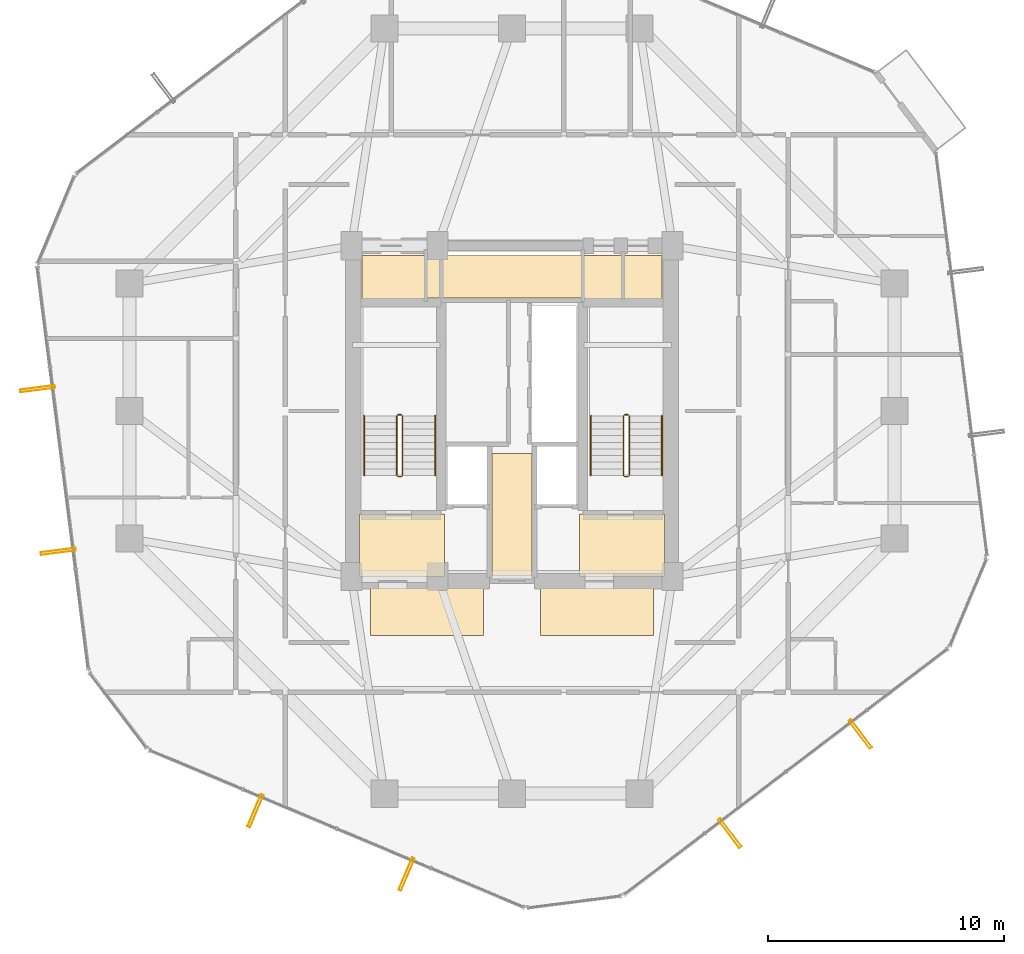
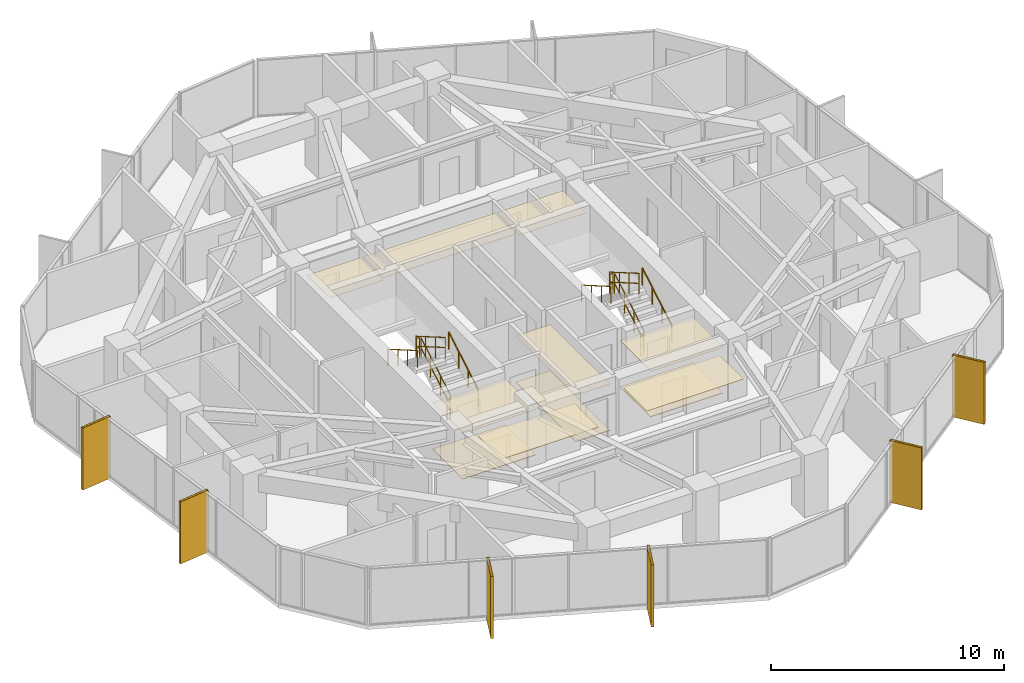
# One storey, part 32 of 33: 12 railings, 11 coverings, 6 shading devices.
"""IFC4 building model written with IfcOpenShell, lengths in metres."""

from ifc_helpers import new_model, si_unit, direction, frame, origin, origin_2d, place, context, subcontext, project, spatial, polyline, hollow_rectangle, circle, outline, extrude, material, layer, layer_set, material_profile, profile_set, type_object, element, save


model = new_model("IFC4")

# Units and contexts
model_context = context("Model", 3, precision=1e-05, world=origin(), true_north=direction((0.0, 1.0)))
body_context = subcontext(model_context, "Body", "Model", "MODEL_VIEW")
ifc_project = project(units=[si_unit("LENGTHUNIT", "METRE"), si_unit("AREAUNIT", "SQUARE_METRE"), si_unit("VOLUMEUNIT", "CUBIC_METRE"), si_unit("PLANEANGLEUNIT", "RADIAN"), si_unit("MASSUNIT", "GRAM", prefix="KILO")], contexts=[model_context])

# Site, building, storey
site_placement = place(None, origin())
site = spatial("IfcSite", under=ifc_project, at=site_placement, CompositionType="ELEMENT")
building_placement = place(site_placement, origin())
building = spatial("IfcBuilding", under=site, at=building_placement, Name="Veraguas Prism Commons", CompositionType="ELEMENT")
storey_placement = place(building_placement, frame((0.0, 0.0, 152.25)))
storey = spatial("IfcBuildingStorey", under=building, at=storey_placement, Name="L43", CompositionType="ELEMENT", Elevation=152.25)

# Shading devices
ifc_material_1 = material(Name="Anodised aluminium EN AW-6063 T6", Category="aluminium")
ifc_material_profile = material_profile(ifc_material_1, hollow_rectangle(XDim=0.1201171875, YDim=1.489990234375, WallThickness=0.006103515625, at=origin_2d()), Name="FIN120X1490X6")
ifc_profile_set = profile_set([ifc_material_profile], Name="Anodised aluminium EN AW-6063 T6")
shading_device_type = type_object("IfcShadingDeviceType", Name="Deep Pale-Metal Vertical Solar Fin 120x1490", PredefinedType="USERDEFINED", material=ifc_profile_set)
for number, where, z_axis, x_axis, name in (
    (1, (3.9130859375, 24.947021484375, -0.22998046875), (0.0, 0.0, 1.0), (0.126025829689, -0.992026960446, 0.0), "Vertical Pale-Metal Solar Fin L43-F3A"),
    (2, (4.787841796875, 18.060546875, -0.22998046875), (0.0, 0.0, 1.0), (0.126025829689, -0.992026960446, 0.0), "Vertical Pale-Metal Solar Fin L43-F3B"),
    (3, (13.136474609375, 7.07763671875, -0.22998046875), (0.0, 0.0, 1.0), (0.922132113386, -0.38687512903, 0.0), "Vertical Pale-Metal Solar Fin L43-F4A"),
    (4, (19.53759765625, 4.39208984375, -0.22998046875), (0.0, 0.0, 1.0), (0.922132113386, -0.38687512903, 0.0), "Vertical Pale-Metal Solar Fin L43-F4B"),
    (5, (33.223388671875, 6.130615234375, -0.22998046875), (0.0, 0.0, 1.0), (0.796106577945, 0.605156439735, 0.0), "Vertical Pale-Metal Solar Fin L43-F5A"),
    (6, (38.749755859375, 10.33154296875, -0.22998046875), (0.0, 0.0, 1.0), (0.796106577945, 0.605156439735, 0.0), "Vertical Pale-Metal Solar Fin L43-F5B"),
):
    element("IfcShadingDevice", number, at=place(storey_placement, frame(where, z_axis=z_axis, x_axis=x_axis)), inside=storey, type_object=shading_device_type, Name=name, ObjectType="FIN", PredefinedType="USERDEFINED", context=body_context, shape_type="SweptSolid", body=[
        extrude(hollow_rectangle(XDim=0.1201171875, YDim=1.489990234375, WallThickness=0.006103515625, at=origin_2d()), origin(), (0.0, 0.0, 1.0), 3.25),
    ])

# Coverings
ifc_material_2 = material(Name="Acoustic gypsum board")
ifc_layer_1 = layer(ifc_material_2, 0.02490234375, Name="Perforated Acoustic Ceiling Tile 25")
ifc_layer_set_1 = layer_set([ifc_layer_1], Name="Acoustic gypsum board")
covering_type_1 = type_object("IfcCoveringType", Name="Perforated Acoustic Ceiling Tile 25", PredefinedType="USERDEFINED", material=ifc_layer_set_1)
covering_1_placement = place(storey_placement, frame((0.0, 0.0, 2.425048828125)))
element("IfcCovering", 7, at=covering_1_placement, inside=storey, type_object=covering_type_1, Name="East Lobby Acoustic Ceiling L43", ObjectType="ACOUSTIC CEILING", PredefinedType="USERDEFINED", context=body_context, shape_type="SweptSolid", body=[
    extrude(outline(polyline([(26.85009765625, 17.0), (30.449951171875, 17.0), (30.449951171875, 19.64990234375), (26.85009765625, 19.64990234375), (26.85009765625, 17.0)])), origin(), (0.0, 0.0, 1.0), 0.02490234375),
])
ifc_material_3 = material(Name="Terrazzo stone finish", Category="masonry")
ifc_layer_2 = layer(ifc_material_3, 0.030029296875, Name="Polished Terrazzo Floor Finish 30", Category="masonry")
ifc_layer_set_2 = layer_set([ifc_layer_2], Name="Terrazzo stone finish")
covering_type_2 = type_object("IfcCoveringType", Name="Polished Terrazzo Floor Finish 30", PredefinedType="FLOORING", material=ifc_layer_set_2)
covering_2_placement = place(storey_placement, origin())
element("IfcCovering", 8, at=covering_2_placement, inside=storey, type_object=covering_type_2, Name="Terrazzo Lobby Flooring L43", PredefinedType="FLOORING", context=body_context, shape_type="SweptSolid", body=[
    extrude(outline(polyline([(23.14990234375, 17.050048828125), (24.85009765625, 17.050048828125), (24.85009765625, 22.199951171875), (23.14990234375, 22.199951171875), (23.14990234375, 17.050048828125)])), origin(), (0.0, 0.0, 1.0), 0.030029296875),
])
covering_3_placement = place(storey_placement, origin())
element("IfcCovering", 9, at=covering_3_placement, inside=storey, type_object=covering_type_2, Name="West FF Lobby Terrazzo Flooring L43", PredefinedType="FLOORING", context=body_context, shape_type="SweptSolid", body=[
    extrude(outline(polyline([(17.550048828125, 17.050048828125), (21.14990234375, 17.050048828125), (21.14990234375, 19.64990234375), (17.550048828125, 19.64990234375), (17.550048828125, 17.050048828125)])), origin(), (0.0, 0.0, 1.0), 0.030029296875),
])
covering_4_placement = place(storey_placement, origin())
element("IfcCovering", 10, at=covering_4_placement, inside=storey, type_object=covering_type_2, Name="East FF Lobby Terrazzo Flooring L43", PredefinedType="FLOORING", context=body_context, shape_type="SweptSolid", body=[
    extrude(outline(polyline([(26.85009765625, 17.050048828125), (30.449951171875, 17.050048828125), (30.449951171875, 19.64990234375), (26.85009765625, 19.64990234375), (26.85009765625, 17.050048828125)])), origin(), (0.0, 0.0, 1.0), 0.030029296875),
])

# Railings
ifc_material_4 = material(Name="Stainless steel AISI 316", Category="steel")
railing_type_1 = type_object("IfcRailingType", Name="Stair and Ramp Stainless Handrail 900", PredefinedType="HANDRAIL", material=ifc_material_4)
railing_1_placement = place(storey_placement, frame((20.75, 21.280029296875, 0.16259765625)))
element("IfcRailing", 11, at=railing_1_placement, inside=storey, type_object=railing_type_1, Name="Stair Handrail ST-01 L43-1", PredefinedType="HANDRAIL", context=body_context, shape_type="SweptSolid", body=[
    extrude(circle(Radius=0.02392578125, at=origin_2d()), frame((0.0, 0.0, 0.8759765625), z_axis=(0.0, 0.864913338283, 0.50192122615), x_axis=(-1.0, 0.0, 0.0)), (0.0, 0.0, 1.0), 2.91357421875),
    extrude(circle(Radius=0.02099609375, at=origin_2d()), origin(), (0.0, 0.0, 1.0), 0.851806640625),
    extrude(circle(Radius=0.02099609375, at=origin_2d()), frame((0.0, 0.840087890625, 0.487548828125)), (0.0, 0.0, 1.0), 0.851806640625),
    extrude(circle(Radius=0.02099609375, at=origin_2d()), frame((0.0, 1.679931640625, 0.974853515625)), (0.0, 0.0, 1.0), 0.851806640625),
    extrude(circle(Radius=0.02099609375, at=origin_2d()), frame((0.0, 2.52001953125, 1.46240234375)), (0.0, 0.0, 1.0), 0.851806640625),
])
railing_2_placement = place(storey_placement, frame((17.739990234375, 23.800048828125, 1.78759765625)))
element("IfcRailing", 12, at=railing_2_placement, inside=storey, type_object=railing_type_1, Name="Stair Handrail ST-01 L43-2", PredefinedType="HANDRAIL", context=body_context, shape_type="SweptSolid", body=[
    extrude(circle(Radius=0.02392578125, at=origin_2d()), frame((0.0, 0.0, 0.8759765625), z_axis=(0.0, -0.864913338283, 0.50192122615), x_axis=(1.0, 0.0, 0.0)), (0.0, 0.0, 1.0), 2.91357421875),
    extrude(circle(Radius=0.02099609375, at=origin_2d()), origin(), (0.0, 0.0, 1.0), 0.851806640625),
    extrude(circle(Radius=0.02099609375, at=origin_2d()), frame((0.0, -0.840087890625, 0.487548828125)), (0.0, 0.0, 1.0), 0.851806640625),
    extrude(circle(Radius=0.02099609375, at=origin_2d()), frame((0.0, -1.679931640625, 0.974853515625)), (0.0, 0.0, 1.0), 0.851806640625),
    extrude(circle(Radius=0.02099609375, at=origin_2d()), frame((0.0, -2.52001953125, 1.46240234375)), (0.0, 0.0, 1.0), 0.851806640625),
])
railing_3_placement = place(storey_placement, frame((30.35009765625, 21.280029296875, 0.16259765625)))
element("IfcRailing", 13, at=railing_3_placement, inside=storey, type_object=railing_type_1, Name="Stair Handrail ST-02 L43-1", PredefinedType="HANDRAIL", context=body_context, shape_type="SweptSolid", body=[
    extrude(circle(Radius=0.02392578125, at=origin_2d()), frame((0.0, 0.0, 0.8759765625), z_axis=(0.0, 0.864913338283, 0.50192122615), x_axis=(-1.0, 0.0, 0.0)), (0.0, 0.0, 1.0), 2.91357421875),
    extrude(circle(Radius=0.02099609375, at=origin_2d()), origin(), (0.0, 0.0, 1.0), 0.851806640625),
    extrude(circle(Radius=0.02099609375, at=origin_2d()), frame((0.0, 0.840087890625, 0.487548828125)), (0.0, 0.0, 1.0), 0.851806640625),
    extrude(circle(Radius=0.02099609375, at=origin_2d()), frame((0.0, 1.679931640625, 0.974853515625)), (0.0, 0.0, 1.0), 0.851806640625),
    extrude(circle(Radius=0.02099609375, at=origin_2d()), frame((0.0, 2.52001953125, 1.46240234375)), (0.0, 0.0, 1.0), 0.851806640625),
])
railing_4_placement = place(storey_placement, frame((27.340087890625, 23.800048828125, 1.78759765625)))
element("IfcRailing", 14, at=railing_4_placement, inside=storey, type_object=railing_type_1, Name="Stair Handrail ST-02 L43-2", PredefinedType="HANDRAIL", context=body_context, shape_type="SweptSolid", body=[
    extrude(circle(Radius=0.02392578125, at=origin_2d()), frame((0.0, 0.0, 0.8759765625), z_axis=(0.0, -0.864913338283, 0.50192122615), x_axis=(1.0, 0.0, 0.0)), (0.0, 0.0, 1.0), 2.91357421875),
    extrude(circle(Radius=0.02099609375, at=origin_2d()), origin(), (0.0, 0.0, 1.0), 0.851806640625),
    extrude(circle(Radius=0.02099609375, at=origin_2d()), frame((0.0, -0.840087890625, 0.487548828125)), (0.0, 0.0, 1.0), 0.851806640625),
    extrude(circle(Radius=0.02099609375, at=origin_2d()), frame((0.0, -1.679931640625, 0.974853515625)), (0.0, 0.0, 1.0), 0.851806640625),
    extrude(circle(Radius=0.02099609375, at=origin_2d()), frame((0.0, -2.52001953125, 1.46240234375)), (0.0, 0.0, 1.0), 0.851806640625),
])
railing_type_2 = type_object("IfcRailingType", Name="Stairwell Safety Guardrail 1100", PredefinedType="GUARDRAIL", material=ifc_material_4)
railing_5_placement = place(storey_placement, frame((19.3701171875, 21.280029296875, 0.16259765625)))
element("IfcRailing", 15, at=railing_5_placement, inside=storey, type_object=railing_type_2, Name="Stair Guard ST-01 L43-1", PredefinedType="GUARDRAIL", context=body_context, shape_type="SweptSolid", body=[
    extrude(circle(Radius=0.02392578125, at=origin_2d()), frame((0.0, 0.0, 1.076171875), z_axis=(0.0, 0.864913338283, 0.50192122615), x_axis=(-1.0, 0.0, 0.0)), (0.0, 0.0, 1.0), 2.91357421875),
    extrude(circle(Radius=0.02392578125, at=origin_2d()), frame((0.0, 0.0, 0.550048828125), z_axis=(0.0, 0.864913338283, 0.50192122615), x_axis=(-1.0, 0.0, 0.0)), (0.0, 0.0, 1.0), 2.91357421875),
    extrude(circle(Radius=0.02099609375, at=origin_2d()), origin(), (0.0, 0.0, 1.0), 1.052001953125),
    extrude(circle(Radius=0.02099609375, at=origin_2d()), frame((0.0, 0.840087890625, 0.487548828125)), (0.0, 0.0, 1.0), 1.052001953125),
    extrude(circle(Radius=0.02099609375, at=origin_2d()), frame((0.0, 1.679931640625, 0.974853515625)), (0.0, 0.0, 1.0), 1.052001953125),
    extrude(circle(Radius=0.02099609375, at=origin_2d()), frame((0.0, 2.52001953125, 1.46240234375)), (0.0, 0.0, 1.0), 1.052001953125),
])
railing_6_placement = place(storey_placement, frame((19.320068359375, 23.85009765625, 1.625)))
element("IfcRailing", 16, at=railing_6_placement, inside=storey, type_object=railing_type_2, Name="Stair Guard ST-01 L43-2", PredefinedType="GUARDRAIL", context=body_context, shape_type="SweptSolid", body=[
    extrude(circle(Radius=0.02392578125, at=origin_2d()), frame((0.0, 0.0, 1.076171875), z_axis=(-1.0, 0.0, 0.0), x_axis=(0.0, -1.0, 0.0)), (0.0, 0.0, 1.0), 0.150146484375),
    extrude(circle(Radius=0.02392578125, at=origin_2d()), frame((0.0, 0.0, 0.550048828125), z_axis=(-1.0, 0.0, 0.0), x_axis=(0.0, -1.0, 0.0)), (0.0, 0.0, 1.0), 0.150146484375),
    extrude(circle(Radius=0.02099609375, at=origin_2d()), origin(), (0.0, 0.0, 1.0), 1.052001953125),
    extrude(circle(Radius=0.02099609375, at=origin_2d()), frame((-0.150146484375, 0.0, 0.0)), (0.0, 0.0, 1.0), 1.052001953125),
])
railing_7_placement = place(storey_placement, frame((19.1201171875, 23.800048828125, 1.78759765625)))
element("IfcRailing", 17, at=railing_7_placement, inside=storey, type_object=railing_type_2, Name="Stair Guard ST-01 L43-3", PredefinedType="GUARDRAIL", context=body_context, shape_type="SweptSolid", body=[
    extrude(circle(Radius=0.02392578125, at=origin_2d()), frame((0.0, 0.0, 1.076171875), z_axis=(0.0, -0.864913338283, 0.50192122615), x_axis=(1.0, 0.0, 0.0)), (0.0, 0.0, 1.0), 2.91357421875),
    extrude(circle(Radius=0.02392578125, at=origin_2d()), frame((0.0, 0.0, 0.550048828125), z_axis=(0.0, -0.864913338283, 0.50192122615), x_axis=(1.0, 0.0, 0.0)), (0.0, 0.0, 1.0), 2.91357421875),
    extrude(circle(Radius=0.02099609375, at=origin_2d()), origin(), (0.0, 0.0, 1.0), 1.052001953125),
    extrude(circle(Radius=0.02099609375, at=origin_2d()), frame((0.0, -0.840087890625, 0.487548828125)), (0.0, 0.0, 1.0), 1.052001953125),
    extrude(circle(Radius=0.02099609375, at=origin_2d()), frame((0.0, -1.679931640625, 0.974853515625)), (0.0, 0.0, 1.0), 1.052001953125),
    extrude(circle(Radius=0.02099609375, at=origin_2d()), frame((0.0, -2.52001953125, 1.46240234375)), (0.0, 0.0, 1.0), 1.052001953125),
])
railing_8_placement = place(storey_placement, frame((19.320068359375, 21.22998046875, 0.0)))
element("IfcRailing", 18, at=railing_8_placement, inside=storey, type_object=railing_type_2, Name="Stair Guard ST-01 L43-4", PredefinedType="GUARDRAIL", context=body_context, shape_type="SweptSolid", body=[
    extrude(circle(Radius=0.02392578125, at=origin_2d()), frame((0.0, 0.0, 1.076171875), z_axis=(-1.0, 0.0, 0.0), x_axis=(0.0, -1.0, 0.0)), (0.0, 0.0, 1.0), 0.150146484375),
    extrude(circle(Radius=0.02392578125, at=origin_2d()), frame((0.0, 0.0, 0.550048828125), z_axis=(-1.0, 0.0, 0.0), x_axis=(0.0, -1.0, 0.0)), (0.0, 0.0, 1.0), 0.150146484375),
    extrude(circle(Radius=0.02099609375, at=origin_2d()), origin(), (0.0, 0.0, 1.0), 1.052001953125),
    extrude(circle(Radius=0.02099609375, at=origin_2d()), frame((-0.150146484375, 0.0, 0.0)), (0.0, 0.0, 1.0), 1.052001953125),
])
railing_9_placement = place(storey_placement, frame((28.969970703125, 21.280029296875, 0.16259765625)))
element("IfcRailing", 19, at=railing_9_placement, inside=storey, type_object=railing_type_2, Name="Stair Guard ST-02 L43-1", PredefinedType="GUARDRAIL", context=body_context, shape_type="SweptSolid", body=[
    extrude(circle(Radius=0.02392578125, at=origin_2d()), frame((0.0, 0.0, 1.076171875), z_axis=(0.0, 0.864913338283, 0.50192122615), x_axis=(-1.0, 0.0, 0.0)), (0.0, 0.0, 1.0), 2.91357421875),
    extrude(circle(Radius=0.02392578125, at=origin_2d()), frame((0.0, 0.0, 0.550048828125), z_axis=(0.0, 0.864913338283, 0.50192122615), x_axis=(-1.0, 0.0, 0.0)), (0.0, 0.0, 1.0), 2.91357421875),
    extrude(circle(Radius=0.02099609375, at=origin_2d()), origin(), (0.0, 0.0, 1.0), 1.052001953125),
    extrude(circle(Radius=0.02099609375, at=origin_2d()), frame((0.0, 0.840087890625, 0.487548828125)), (0.0, 0.0, 1.0), 1.052001953125),
    extrude(circle(Radius=0.02099609375, at=origin_2d()), frame((0.0, 1.679931640625, 0.974853515625)), (0.0, 0.0, 1.0), 1.052001953125),
    extrude(circle(Radius=0.02099609375, at=origin_2d()), frame((0.0, 2.52001953125, 1.46240234375)), (0.0, 0.0, 1.0), 1.052001953125),
])
railing_10_placement = place(storey_placement, frame((28.919921875, 23.85009765625, 1.625)))
element("IfcRailing", 20, at=railing_10_placement, inside=storey, type_object=railing_type_2, Name="Stair Guard ST-02 L43-2", PredefinedType="GUARDRAIL", context=body_context, shape_type="SweptSolid", body=[
    extrude(circle(Radius=0.02392578125, at=origin_2d()), frame((0.0, 0.0, 1.076171875), z_axis=(-1.0, 0.0, 0.0), x_axis=(0.0, -1.0, 0.0)), (0.0, 0.0, 1.0), 0.14990234375),
    extrude(circle(Radius=0.02392578125, at=origin_2d()), frame((0.0, 0.0, 0.550048828125), z_axis=(-1.0, 0.0, 0.0), x_axis=(0.0, -1.0, 0.0)), (0.0, 0.0, 1.0), 0.14990234375),
    extrude(circle(Radius=0.02099609375, at=origin_2d()), origin(), (0.0, 0.0, 1.0), 1.052001953125),
    extrude(circle(Radius=0.02099609375, at=origin_2d()), frame((-0.14990234375, 0.0, 0.0)), (0.0, 0.0, 1.0), 1.052001953125),
])
railing_11_placement = place(storey_placement, frame((28.719970703125, 23.800048828125, 1.78759765625)))
element("IfcRailing", 21, at=railing_11_placement, inside=storey, type_object=railing_type_2, Name="Stair Guard ST-02 L43-3", PredefinedType="GUARDRAIL", context=body_context, shape_type="SweptSolid", body=[
    extrude(circle(Radius=0.02392578125, at=origin_2d()), frame((0.0, 0.0, 1.076171875), z_axis=(0.0, -0.864913338283, 0.50192122615), x_axis=(1.0, 0.0, 0.0)), (0.0, 0.0, 1.0), 2.91357421875),
    extrude(circle(Radius=0.02392578125, at=origin_2d()), frame((0.0, 0.0, 0.550048828125), z_axis=(0.0, -0.864913338283, 0.50192122615), x_axis=(1.0, 0.0, 0.0)), (0.0, 0.0, 1.0), 2.91357421875),
    extrude(circle(Radius=0.02099609375, at=origin_2d()), origin(), (0.0, 0.0, 1.0), 1.052001953125),
    extrude(circle(Radius=0.02099609375, at=origin_2d()), frame((0.0, -0.840087890625, 0.487548828125)), (0.0, 0.0, 1.0), 1.052001953125),
    extrude(circle(Radius=0.02099609375, at=origin_2d()), frame((0.0, -1.679931640625, 0.974853515625)), (0.0, 0.0, 1.0), 1.052001953125),
    extrude(circle(Radius=0.02099609375, at=origin_2d()), frame((0.0, -2.52001953125, 1.46240234375)), (0.0, 0.0, 1.0), 1.052001953125),
])
railing_12_placement = place(storey_placement, frame((28.919921875, 21.22998046875, 0.0)))
element("IfcRailing", 22, at=railing_12_placement, inside=storey, type_object=railing_type_2, Name="Stair Guard ST-02 L43-4", PredefinedType="GUARDRAIL", context=body_context, shape_type="SweptSolid", body=[
    extrude(circle(Radius=0.02392578125, at=origin_2d()), frame((0.0, 0.0, 1.076171875), z_axis=(-1.0, 0.0, 0.0), x_axis=(0.0, -1.0, 0.0)), (0.0, 0.0, 1.0), 0.14990234375),
    extrude(circle(Radius=0.02392578125, at=origin_2d()), frame((0.0, 0.0, 0.550048828125), z_axis=(-1.0, 0.0, 0.0), x_axis=(0.0, -1.0, 0.0)), (0.0, 0.0, 1.0), 0.14990234375),
    extrude(circle(Radius=0.02099609375, at=origin_2d()), origin(), (0.0, 0.0, 1.0), 1.052001953125),
    extrude(circle(Radius=0.02099609375, at=origin_2d()), frame((-0.14990234375, 0.0, 0.0)), (0.0, 0.0, 1.0), 1.052001953125),
])

# Coverings
ifc_layer_3 = layer(ifc_material_2, 0.02001953125, Name="Suspended Gypsum Ceiling 20")
ifc_layer_set_3 = layer_set([ifc_layer_3], Name="Acoustic gypsum board")
covering_type_3 = type_object("IfcCoveringType", Name="Suspended Gypsum Ceiling 20", PredefinedType="CEILING", material=ifc_layer_set_3)
covering_5_placement = place(storey_placement, frame((0.0, 0.0, 2.429931640625)))
element("IfcCovering", 23, at=covering_5_placement, inside=storey, type_object=covering_type_3, Name="West Lobby Suspended Gypsum Ceiling L43", PredefinedType="CEILING", context=body_context, shape_type="SweptSolid", body=[
    extrude(outline(polyline([(17.550048828125, 17.0), (21.14990234375, 17.0), (21.14990234375, 19.64990234375), (17.550048828125, 19.64990234375), (17.550048828125, 17.0)])), origin(), (0.0, 0.0, 1.0), 0.02001953125),
])
covering_6_placement = place(storey_placement, frame((0.0, 0.0, 2.429931640625)))
element("IfcCovering", 24, at=covering_6_placement, inside=storey, type_object=covering_type_3, Name="Core Lobby Acoustic Ceiling L43-1", PredefinedType="CEILING", context=body_context, shape_type="SweptSolid", body=[
    extrude(outline(polyline([(18.0, 14.5), (22.800048828125, 14.5), (22.800048828125, 16.550048828125), (18.0, 16.550048828125), (18.0, 14.5)])), origin(), (0.0, 0.0, 1.0), 0.02001953125),
])
covering_7_placement = place(storey_placement, frame((0.0, 0.0, 2.429931640625)))
element("IfcCovering", 25, at=covering_7_placement, inside=storey, type_object=covering_type_3, Name="Core Lobby Acoustic Ceiling L43-2", PredefinedType="CEILING", context=body_context, shape_type="SweptSolid", body=[
    extrude(outline(polyline([(25.199951171875, 14.5), (30.0, 14.5), (30.0, 16.550048828125), (25.199951171875, 16.550048828125), (25.199951171875, 14.5)])), origin(), (0.0, 0.0, 1.0), 0.02001953125),
])
covering_8_placement = place(storey_placement, frame((0.0, 0.0, 2.429931640625)))
element("IfcCovering", 26, at=covering_8_placement, inside=storey, type_object=covering_type_3, Name="Core Lobby Acoustic Ceiling L43-3", PredefinedType="CEILING", context=body_context, shape_type="SweptSolid", body=[
    extrude(outline(polyline([(23.14990234375, 17.050048828125), (24.85009765625, 17.050048828125), (24.85009765625, 22.199951171875), (23.14990234375, 22.199951171875), (23.14990234375, 17.050048828125)])), origin(), (0.0, 0.0, 1.0), 0.02001953125),
])
covering_9_placement = place(storey_placement, frame((0.0, 0.0, 2.429931640625)))
element("IfcCovering", 27, at=covering_9_placement, inside=storey, type_object=covering_type_3, Name="Core Lobby Acoustic Ceiling L43-4", PredefinedType="CEILING", context=body_context, shape_type="SweptSolid", body=[
    extrude(outline(polyline([(17.64990234375, 28.64990234375), (20.300048828125, 28.64990234375), (20.300048828125, 30.60009765625), (17.64990234375, 30.60009765625), (17.64990234375, 28.64990234375)])), origin(), (0.0, 0.0, 1.0), 0.02001953125),
])
covering_10_placement = place(storey_placement, frame((0.0, 0.0, 2.429931640625)))
element("IfcCovering", 28, at=covering_10_placement, inside=storey, type_object=covering_type_3, Name="Core Lobby Acoustic Ceiling L43-5", PredefinedType="CEILING", context=body_context, shape_type="SweptSolid", body=[
    extrude(outline(polyline([(27.050048828125, 28.64990234375), (30.35009765625, 28.64990234375), (30.35009765625, 30.60009765625), (27.050048828125, 30.60009765625), (27.050048828125, 28.64990234375)])), origin(), (0.0, 0.0, 1.0), 0.02001953125),
])
covering_11_placement = place(storey_placement, frame((0.0, 0.0, 2.429931640625)))
element("IfcCovering", 29, at=covering_11_placement, inside=storey, type_object=covering_type_3, Name="Core Lobby Acoustic Ceiling L43-6", PredefinedType="CEILING", context=body_context, shape_type="SweptSolid", body=[
    extrude(outline(polyline([(20.39990234375, 28.800048828125), (26.949951171875, 28.800048828125), (26.949951171875, 30.60009765625), (20.39990234375, 30.60009765625), (20.39990234375, 28.800048828125)])), origin(), (0.0, 0.0, 1.0), 0.02001953125),
])

save(model, "model.ifc")
